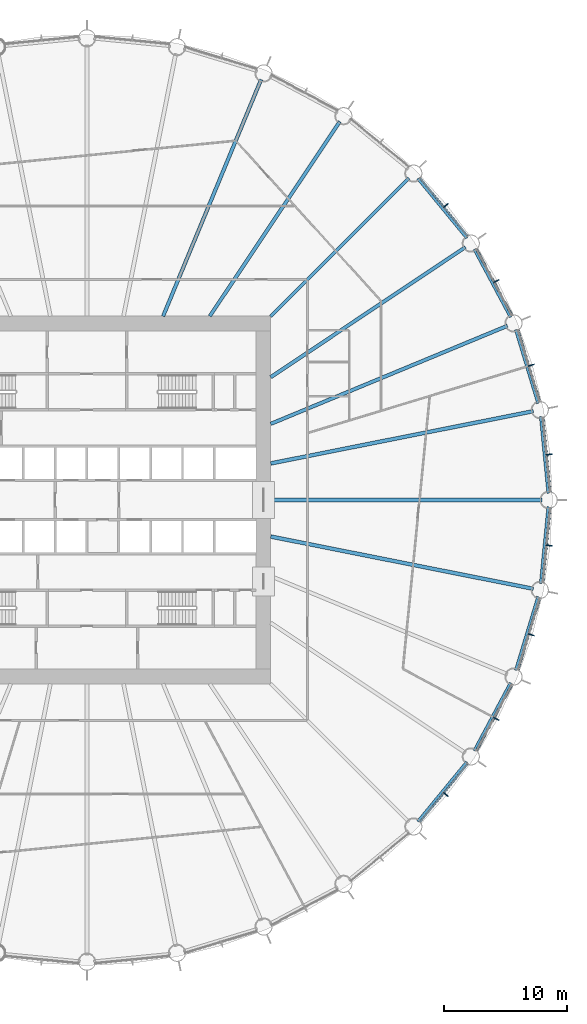
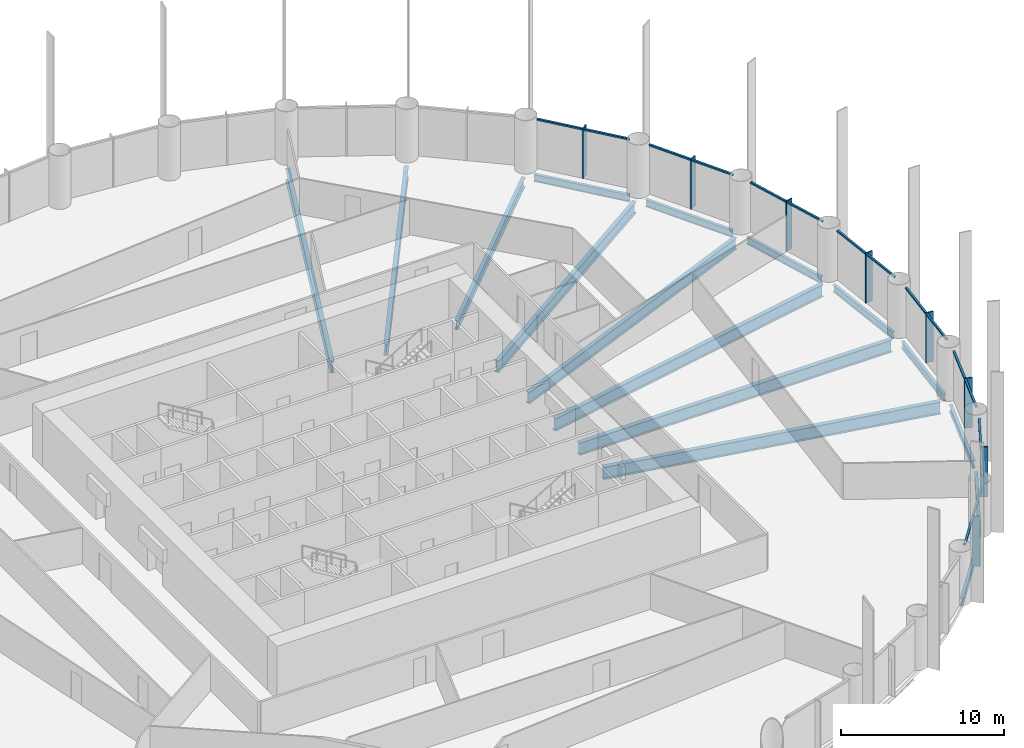
# One storey, part 5 of 14: 24 members, 16 beams, 8 elements without a shape of their own.
"""IFC4 building model written with IfcOpenShell, lengths in metres."""

from ifc_helpers import new_model, si_unit, direction, frame, origin, origin_2d, place, context, subcontext, project, spatial, rectangle, i_section, extrude, material, material_profile, profile_set, type_object, element, aggregate, save


model = new_model("IFC4")

# Units and contexts
model_context = context("Model", 3, precision=1e-05, world=origin(), true_north=direction((0.0, 1.0)))
body_context = subcontext(model_context, "Body", "Model", "MODEL_VIEW")
ifc_project = project(units=[si_unit("LENGTHUNIT", "METRE"), si_unit("AREAUNIT", "SQUARE_METRE"), si_unit("VOLUMEUNIT", "CUBIC_METRE"), si_unit("PLANEANGLEUNIT", "RADIAN"), si_unit("MASSUNIT", "GRAM", prefix="KILO")], contexts=[model_context])

# Site, building, storey
site_placement = place(None, origin())
site = spatial("IfcSite", under=ifc_project, at=site_placement, CompositionType="ELEMENT")
building_placement = place(site_placement, origin())
building = spatial("IfcBuilding", under=site, at=building_placement, Name="Corvane Civic Tower", CompositionType="ELEMENT")
storey_placement = place(building_placement, frame((0.0, 0.0, 53.0)))
storey = spatial("IfcBuildingStorey", under=building, at=storey_placement, Name="L11", CompositionType="ELEMENT", Elevation=53.0)

# Beams
ifc_material_1 = material(Name="Steel ASTM A992 Gr 50", Category="steel")
ifc_material_profile_1 = material_profile(ifc_material_1, i_section(OverallWidth=0.209228515625, OverallDepth=0.533447265625, WebThickness=0.01025390625, FlangeThickness=0.015625, at=origin_2d()), Name="W21X62")
ifc_profile_set_1 = profile_set([ifc_material_profile_1], Name="Steel ASTM A992 Gr 50")
beam_type_1 = type_object("IfcBeamType", Name="EDGE BEAM W21X62", PredefinedType="BEAM", material=ifc_profile_set_1)
beam_1_placement = place(storey_placement, frame((27.0068359375, 26.23291015625, -0.566650390625), z_axis=(0.634386787141, -0.773015785286, 0.0), x_axis=(0.773015785286, 0.634386787141, 0.0)))
element("IfcBeam", 1, at=beam_1_placement, inside=storey, type_object=beam_type_1, Name="BM-L11-E05", PredefinedType="BEAM", context=body_context, shape_type="SweptSolid", body=[
    extrude(i_section(OverallWidth=0.209228515625, OverallDepth=0.533447265625, WebThickness=0.01025390625, FlangeThickness=0.015625, at=origin_2d()), origin(), (0.0, 0.0, 1.0), 6.290771484375),
])
for number, where, z_axis, x_axis, name in (
    (2, (31.605712890625, 20.4599609375, -0.566650390625), (0.471405897311, -0.881916367906, 0.0), (0.881916367906, 0.471405897311, 0.0), "BM-L11-E06"),
    (3, (34.989990234375, 13.90087890625, -0.566650390625), (0.290273452184, -0.956943740748, 0.0), (0.956943740748, 0.290273452184, 0.0), "BM-L11-E07"),
):
    element("IfcBeam", number, at=place(storey_placement, frame(where, z_axis=z_axis, x_axis=x_axis)), inside=storey, type_object=beam_type_1, Name=name, PredefinedType="BEAM", context=body_context, shape_type="SweptSolid", body=[
        extrude(i_section(OverallWidth=0.209228515625, OverallDepth=0.533447265625, WebThickness=0.01025390625, FlangeThickness=0.015625, at=origin_2d()), origin(), (0.0, 0.0, 1.0), 6.290283203125),
    ])
for number, where, z_axis, x_axis, name in (
    (4, (37.029541015625, 6.8076171875, -0.566650390625), (0.097997284622, -0.995186682089, 0.0), (0.995186682089, 0.097997284622, 0.0), "BM-L11-E08"),
    (5, (37.64599609375, -0.54736328125, -0.566650390625), (-0.097997284622, -0.995186682089, 0.0), (0.995186682089, -0.097997284622, 0.0), "BM-L11-E09"),
):
    element("IfcBeam", number, at=place(storey_placement, frame(where, z_axis=z_axis, x_axis=x_axis)), inside=storey, type_object=beam_type_1, Name=name, PredefinedType="BEAM", context=body_context, shape_type="SweptSolid", body=[
        extrude(i_section(OverallWidth=0.209228515625, OverallDepth=0.533447265625, WebThickness=0.01025390625, FlangeThickness=0.015625, at=origin_2d()), origin(), (0.0, 0.0, 1.0), 6.29052734375),
    ])
for number, where, z_axis, x_axis, name in (
    (6, (36.81591796875, -7.88134765625, -0.566650390625), (-0.290273452184, -0.956943740748, 0.0), (0.956943740748, -0.290273452184, 0.0), "BM-L11-E10"),
    (7, (34.571044921875, -14.912353515625, -0.566650390625), (-0.471405897311, -0.881916367906, 0.0), (0.881916367906, -0.471405897311, 0.0), "BM-L11-E11"),
):
    element("IfcBeam", number, at=place(storey_placement, frame(where, z_axis=z_axis, x_axis=x_axis)), inside=storey, type_object=beam_type_1, Name=name, PredefinedType="BEAM", context=body_context, shape_type="SweptSolid", body=[
        extrude(i_section(OverallWidth=0.209228515625, OverallDepth=0.533447265625, WebThickness=0.01025390625, FlangeThickness=0.015625, at=origin_2d()), origin(), (0.0, 0.0, 1.0), 6.290283203125),
    ])
beam_2_placement = place(storey_placement, frame((30.99755859375, -21.3701171875, -0.566650390625), z_axis=(-0.634386787141, -0.773015785286, 0.0), x_axis=(0.773015785286, -0.634386787141, 0.0)))
element("IfcBeam", 8, at=beam_2_placement, inside=storey, type_object=beam_type_1, Name="BM-L11-E12", PredefinedType="BEAM", context=body_context, shape_type="SweptSolid", body=[
    extrude(i_section(OverallWidth=0.209228515625, OverallDepth=0.533447265625, WebThickness=0.01025390625, FlangeThickness=0.015625, at=origin_2d()), origin(), (0.0, 0.0, 1.0), 6.290771484375),
])
ifc_material_2 = material(Name="Steel ASTM A992 Gr 50", Category="steel")
ifc_material_profile_2 = material_profile(ifc_material_2, i_section(OverallWidth=0.256591796875, OverallDepth=0.693359375, WebThickness=0.014404296875, FlangeThickness=0.023681640625, at=origin_2d()), Name="W27X114")
ifc_profile_set_2 = profile_set([ifc_material_profile_2], Name="Steel ASTM A992 Gr 50")
beam_type_2 = type_object("IfcBeamType", Name="FLOOR GIRDER W27X114", PredefinedType="BEAM", material=ifc_profile_set_2)
beam_3_placement = place(storey_placement, frame((15.0, 15.0, -0.646728515625), z_axis=(0.707106781187, 0.707106781187, 0.0), x_axis=(-0.707106781187, 0.707106781187, 0.0)))
element("IfcBeam", 9, at=beam_3_placement, inside=storey, type_object=beam_type_2, Name="BM-L11-G05", PredefinedType="BEAM", context=body_context, shape_type="SweptSolid", body=[
    extrude(i_section(OverallWidth=0.256591796875, OverallDepth=0.693359375, WebThickness=0.014404296875, FlangeThickness=0.023681640625, at=origin_2d()), origin(), (0.0, 0.0, 1.0), 15.936767578125),
])
ifc_material_3 = material(Name="Steel ASTM A992 Gr 50", Category="steel")
ifc_material_profile_3 = material_profile(ifc_material_3, i_section(OverallWidth=0.2919921875, OverallDepth=0.8583984375, WebThickness=0.01708984375, FlangeThickness=0.031005859375, at=origin_2d()), Name="W33X169")
ifc_profile_set_3 = profile_set([ifc_material_profile_3], Name="Steel ASTM A992 Gr 50")
beam_type_3 = type_object("IfcBeamType", Name="FLOOR GIRDER W33X169", PredefinedType="BEAM", material=ifc_profile_set_3)
beam_4_placement = place(storey_placement, frame((6.213134765625, 15.0, -0.729248046875), z_axis=(0.382692360381, 0.923875834355, 0.0), x_axis=(-0.923875834355, 0.382692360381, 0.0)))
element("IfcBeam", 10, at=beam_4_placement, inside=storey, type_object=beam_type_3, Name="BM-L11-G03", PredefinedType="BEAM", context=body_context, shape_type="SweptSolid", body=[
    extrude(i_section(OverallWidth=0.2919921875, OverallDepth=0.8583984375, WebThickness=0.01708984375, FlangeThickness=0.031005859375, at=origin_2d()), origin(), (0.0, 0.0, 1.0), 20.9140625),
])
for number, where, z_axis, x_axis, name in (
    (11, (10.022705078125, 15.0, -0.729248046875), (0.555566681385, 0.831471985418, 0.0), (-0.831471985418, 0.555566681385, 0.0), "BM-L11-G04"),
    (12, (15.0, 10.022705078125, -0.729248046875), (0.831471985418, 0.555566681385, 0.0), (-0.555566681385, 0.831471985418, 0.0), "BM-L11-G06"),
):
    element("IfcBeam", number, at=place(storey_placement, frame(where, z_axis=z_axis, x_axis=x_axis)), inside=storey, type_object=beam_type_3, Name=name, PredefinedType="BEAM", context=body_context, shape_type="SweptSolid", body=[
        extrude(i_section(OverallWidth=0.2919921875, OverallDepth=0.8583984375, WebThickness=0.01708984375, FlangeThickness=0.031005859375, at=origin_2d()), origin(), (0.0, 0.0, 1.0), 19.109619140625),
    ])
beam_5_placement = place(storey_placement, frame((15.0, 6.213134765625, -0.729248046875), z_axis=(0.923875834355, 0.382692360381, 0.0), x_axis=(-0.382692360381, 0.923875834355, 0.0)))
element("IfcBeam", 13, at=beam_5_placement, inside=storey, type_object=beam_type_3, Name="BM-L11-G07", PredefinedType="BEAM", context=body_context, shape_type="SweptSolid", body=[
    extrude(i_section(OverallWidth=0.2919921875, OverallDepth=0.8583984375, WebThickness=0.01708984375, FlangeThickness=0.031005859375, at=origin_2d()), origin(), (0.0, 0.0, 1.0), 20.9140625),
])
ifc_material_4 = material(Name="Steel ASTM A992 Gr 50", Category="steel")
ifc_material_profile_4 = material_profile(ifc_material_4, i_section(OverallWidth=0.307373046875, OverallDepth=0.927001953125, WebThickness=0.01953125, FlangeThickness=0.031982421875, at=origin_2d()), Name="W36X194")
ifc_profile_set_4 = profile_set([ifc_material_profile_4], Name="Steel ASTM A992 Gr 50")
beam_type_4 = type_object("IfcBeamType", Name="FLOOR GIRDER W36X194", PredefinedType="BEAM", material=ifc_profile_set_4)
beam_6_placement = place(storey_placement, frame((15.0, 2.983642578125, -0.763671875), z_axis=(0.980785499679, 0.195089219638, 0.0), x_axis=(-0.195089219638, 0.980785499679, 0.0)))
element("IfcBeam", 14, at=beam_6_placement, inside=storey, type_object=beam_type_4, Name="BM-L11-G08", PredefinedType="BEAM", context=body_context, shape_type="SweptSolid", body=[
    extrude(i_section(OverallWidth=0.307373046875, OverallDepth=0.927001953125, WebThickness=0.01953125, FlangeThickness=0.031982421875, at=origin_2d()), origin(), (0.0, 0.0, 1.0), 21.856201171875),
])
beam_7_placement = place(storey_placement, frame((15.0, 0.0, -0.763671875), z_axis=(1.0, 0.0, 0.0), x_axis=(0.0, 1.0, 0.0)))
element("IfcBeam", 15, at=beam_7_placement, inside=storey, type_object=beam_type_4, Name="BM-L11-G09", PredefinedType="BEAM", context=body_context, shape_type="SweptSolid", body=[
    extrude(i_section(OverallWidth=0.307373046875, OverallDepth=0.927001953125, WebThickness=0.01953125, FlangeThickness=0.031982421875, at=origin_2d()), origin(), (0.0, 0.0, 1.0), 22.14990234375),
])
beam_8_placement = place(storey_placement, frame((15.0, -2.983642578125, -0.763671875), z_axis=(0.980785499679, -0.195089219638, 0.0), x_axis=(0.195089219638, 0.980785499679, 0.0)))
element("IfcBeam", 16, at=beam_8_placement, inside=storey, type_object=beam_type_4, Name="BM-L11-G10", PredefinedType="BEAM", context=body_context, shape_type="SweptSolid", body=[
    extrude(i_section(OverallWidth=0.307373046875, OverallDepth=0.927001953125, WebThickness=0.01953125, FlangeThickness=0.031982421875, at=origin_2d()), origin(), (0.0, 0.0, 1.0), 21.856201171875),
])

# Curtain wall, members
ifc_material_5 = material(Name="Anodised aluminium bronze", Category="aluminium")
curtain_wall_type = type_object("IfcCurtainWallType", Name="TOWER CW-T1 STICK CURTAIN WALL", PredefinedType="NOTDEFINED", material=ifc_material_5)
curtain_wall_1_placement = place(storey_placement, origin())
curtain_wall_1 = element("IfcCurtainWall", 17, at=curtain_wall_1_placement, inside=storey, type_object=curtain_wall_type, Name="Curtain wall CW-T1 L11 bay 05", PredefinedType="NOTDEFINED")
ifc_material_6 = material(Name="Anodised aluminium bronze", Category="aluminium")
ifc_material_profile_5 = material_profile(ifc_material_6, rectangle(XDim=0.139892578125, YDim=0.1201171875, at=origin_2d()), Name="TOWER CW-T1 TRANSOM 140x120")
ifc_profile_set_5 = profile_set([ifc_material_profile_5], Name="Anodised aluminium bronze")
member_type_1 = type_object("IfcMemberType", Name="TOWER CW-T1 TRANSOM 140x120", PredefinedType="USERDEFINED", material=ifc_profile_set_5)
member_1_placement = place(storey_placement, frame((27.20654296875, 26.271728515625, 3.68994140625), z_axis=(0.634403652865, -0.773001943873, 0.0), x_axis=(0.773001943873, 0.634403652865, 0.0)))
member_1 = element("IfcMember", 18, at=member_1_placement, type_object=member_type_1, Name="Transom CW-T1 L11 05.1", ObjectType="TRANSOM", PredefinedType="USERDEFINED", context=body_context, shape_type="SweptSolid", body=[
    extrude(rectangle(XDim=0.139892578125, YDim=0.1201171875, at=origin_2d()), origin(), (0.0, 0.0, 1.0), 3.008544921875),
])
member_2_placement = place(storey_placement, frame((29.166015625, 23.88427734375, 3.68994140625), z_axis=(0.634355161466, -0.773041738279, 0.0), x_axis=(0.773041738279, 0.634355161466, 0.0)))
member_2 = element("IfcMember", 19, at=member_2_placement, type_object=member_type_1, Name="Transom CW-T1 L11 05.2", ObjectType="TRANSOM", PredefinedType="USERDEFINED", context=body_context, shape_type="SweptSolid", body=[
    extrude(rectangle(XDim=0.139892578125, YDim=0.1201171875, at=origin_2d()), origin(), (0.0, 0.0, 1.0), 3.008544921875),
])

curtain_wall_2_placement = place(storey_placement, origin())
curtain_wall_2 = element("IfcCurtainWall", 20, at=curtain_wall_2_placement, inside=storey, type_object=curtain_wall_type, Name="Curtain wall CW-T1 L11 bay 06", PredefinedType="NOTDEFINED")
member_3_placement = place(storey_placement, frame((31.809326171875, 20.459228515625, 3.68994140625), z_axis=(0.471392506424, -0.881923525532, 0.0), x_axis=(0.881923525532, 0.471392506424, 0.0)))
member_3 = element("IfcMember", 21, at=member_3_placement, type_object=member_type_1, Name="Transom CW-T1 L11 06.1", ObjectType="TRANSOM", PredefinedType="USERDEFINED", context=body_context, shape_type="SweptSolid", body=[
    extrude(rectangle(XDim=0.139892578125, YDim=0.1201171875, at=origin_2d()), origin(), (0.0, 0.0, 1.0), 3.008544921875),
])
member_4_placement = place(storey_placement, frame((33.26513671875, 17.7353515625, 3.68994140625), z_axis=(0.471392506424, -0.881923525532, 0.0), x_axis=(0.881923525532, 0.471392506424, 0.0)))
member_4 = element("IfcMember", 22, at=member_4_placement, type_object=member_type_1, Name="Transom CW-T1 L11 06.2", ObjectType="TRANSOM", PredefinedType="USERDEFINED", context=body_context, shape_type="SweptSolid", body=[
    extrude(rectangle(XDim=0.139892578125, YDim=0.1201171875, at=origin_2d()), origin(), (0.0, 0.0, 1.0), 3.008544921875),
])

curtain_wall_3_placement = place(storey_placement, origin())
curtain_wall_3 = element("IfcCurtainWall", 23, at=curtain_wall_3_placement, inside=storey, type_object=curtain_wall_type, Name="Curtain wall CW-T1 L11 bay 07", PredefinedType="NOTDEFINED")
member_5_placement = place(storey_placement, frame((35.189453125, 13.8603515625, 3.68994140625), z_axis=(0.290279914268, -0.956941780555, 0.0), x_axis=(0.956941780555, 0.290279914268, 0.0)))
member_5 = element("IfcMember", 24, at=member_5_placement, type_object=member_type_1, Name="Transom CW-T1 L11 07.1", ObjectType="TRANSOM", PredefinedType="USERDEFINED", context=body_context, shape_type="SweptSolid", body=[
    extrude(rectangle(XDim=0.139892578125, YDim=0.1201171875, at=origin_2d()), origin(), (0.0, 0.0, 1.0), 3.008544921875),
])
member_6_placement = place(storey_placement, frame((36.0859375, 10.90478515625, 3.68994140625), z_axis=(0.290279914268, -0.956941780555, 0.0), x_axis=(0.956941780555, 0.290279914268, 0.0)))
member_6 = element("IfcMember", 25, at=member_6_placement, type_object=member_type_1, Name="Transom CW-T1 L11 07.2", ObjectType="TRANSOM", PredefinedType="USERDEFINED", context=body_context, shape_type="SweptSolid", body=[
    extrude(rectangle(XDim=0.139892578125, YDim=0.1201171875, at=origin_2d()), origin(), (0.0, 0.0, 1.0), 3.008544921875),
])

curtain_wall_4_placement = place(storey_placement, origin())
curtain_wall_4 = element("IfcCurtainWall", 26, at=curtain_wall_4_placement, inside=storey, type_object=curtain_wall_type, Name="Curtain wall CW-T1 L11 bay 08", PredefinedType="NOTDEFINED")
member_7_placement = place(storey_placement, frame((37.21728515625, 6.72900390625, 3.68994140625), z_axis=(0.097944923917, -0.995191836722, 0.0), x_axis=(0.995191836722, 0.097944923917, 0.0)))
member_7 = element("IfcMember", 27, at=member_7_placement, type_object=member_type_1, Name="Transom CW-T1 L11 08.1", ObjectType="TRANSOM", PredefinedType="USERDEFINED", context=body_context, shape_type="SweptSolid", body=[
    extrude(rectangle(XDim=0.139892578125, YDim=0.1201171875, at=origin_2d()), origin(), (0.0, 0.0, 1.0), 3.008544921875),
])
member_8_placement = place(storey_placement, frame((37.52001953125, 3.6552734375, 3.68994140625), z_axis=(0.097944923917, -0.995191836722, 0.0), x_axis=(0.995191836722, 0.097944923917, 0.0)))
member_8 = element("IfcMember", 28, at=member_8_placement, type_object=member_type_1, Name="Transom CW-T1 L11 08.2", ObjectType="TRANSOM", PredefinedType="USERDEFINED", context=body_context, shape_type="SweptSolid", body=[
    extrude(rectangle(XDim=0.139892578125, YDim=0.1201171875, at=origin_2d()), origin(), (0.0, 0.0, 1.0), 3.008544921875),
])

curtain_wall_5_placement = place(storey_placement, origin())
curtain_wall_5 = element("IfcCurtainWall", 29, at=curtain_wall_5_placement, inside=storey, type_object=curtain_wall_type, Name="Curtain wall CW-T1 L11 bay 09", PredefinedType="NOTDEFINED")
member_9_placement = place(storey_placement, frame((37.814697265625, -0.6611328125, 3.68994140625), z_axis=(-0.097944923917, -0.995191836722, 0.0), x_axis=(0.995191836722, -0.097944923917, 0.0)))
member_9 = element("IfcMember", 30, at=member_9_placement, type_object=member_type_1, Name="Transom CW-T1 L11 09.1", ObjectType="TRANSOM", PredefinedType="USERDEFINED", context=body_context, shape_type="SweptSolid", body=[
    extrude(rectangle(XDim=0.139892578125, YDim=0.1201171875, at=origin_2d()), origin(), (0.0, 0.0, 1.0), 3.008544921875),
])
member_10_placement = place(storey_placement, frame((37.511962890625, -3.73486328125, 3.68994140625), z_axis=(-0.097944923917, -0.995191836722, 0.0), x_axis=(0.995191836722, -0.097944923917, 0.0)))
member_10 = element("IfcMember", 31, at=member_10_placement, type_object=member_type_1, Name="Transom CW-T1 L11 09.2", ObjectType="TRANSOM", PredefinedType="USERDEFINED", context=body_context, shape_type="SweptSolid", body=[
    extrude(rectangle(XDim=0.139892578125, YDim=0.1201171875, at=origin_2d()), origin(), (0.0, 0.0, 1.0), 3.008544921875),
])

curtain_wall_6_placement = place(storey_placement, origin())
curtain_wall_6 = element("IfcCurtainWall", 32, at=curtain_wall_6_placement, inside=storey, type_object=curtain_wall_type, Name="Curtain wall CW-T1 L11 bay 10", PredefinedType="NOTDEFINED")
member_11_placement = place(storey_placement, frame((36.959228515625, -8.02587890625, 3.68994140625), z_axis=(-0.290279914268, -0.956941780555, 0.0), x_axis=(0.956941780555, -0.290279914268, 0.0)))
member_11 = element("IfcMember", 33, at=member_11_placement, type_object=member_type_1, Name="Transom CW-T1 L11 10.1", ObjectType="TRANSOM", PredefinedType="USERDEFINED", context=body_context, shape_type="SweptSolid", body=[
    extrude(rectangle(XDim=0.139892578125, YDim=0.1201171875, at=origin_2d()), origin(), (0.0, 0.0, 1.0), 3.008544921875),
])
member_12_placement = place(storey_placement, frame((36.062744140625, -10.9814453125, 3.68994140625), z_axis=(-0.290279914268, -0.956941780555, 0.0), x_axis=(0.956941780555, -0.290279914268, 0.0)))
member_12 = element("IfcMember", 34, at=member_12_placement, type_object=member_type_1, Name="Transom CW-T1 L11 10.2", ObjectType="TRANSOM", PredefinedType="USERDEFINED", context=body_context, shape_type="SweptSolid", body=[
    extrude(rectangle(XDim=0.139892578125, YDim=0.1201171875, at=origin_2d()), origin(), (0.0, 0.0, 1.0), 3.008544921875),
])

curtain_wall_7_placement = place(storey_placement, origin())
curtain_wall_7 = element("IfcCurtainWall", 35, at=curtain_wall_7_placement, inside=storey, type_object=curtain_wall_type, Name="Curtain wall CW-T1 L11 bay 11", PredefinedType="NOTDEFINED")
member_13_placement = place(storey_placement, frame((34.683349609375, -15.08203125, 3.68994140625), z_axis=(-0.471392506424, -0.881923525532, 0.0), x_axis=(0.881923525532, -0.471392506424, 0.0)))
member_13 = element("IfcMember", 36, at=member_13_placement, type_object=member_type_1, Name="Transom CW-T1 L11 11.1", ObjectType="TRANSOM", PredefinedType="USERDEFINED", context=body_context, shape_type="SweptSolid", body=[
    extrude(rectangle(XDim=0.139892578125, YDim=0.1201171875, at=origin_2d()), origin(), (0.0, 0.0, 1.0), 3.008544921875),
])
member_14_placement = place(storey_placement, frame((33.2275390625, -17.805908203125, 3.68994140625), z_axis=(-0.471392506424, -0.881923525532, 0.0), x_axis=(0.881923525532, -0.471392506424, 0.0)))
member_14 = element("IfcMember", 37, at=member_14_placement, type_object=member_type_1, Name="Transom CW-T1 L11 11.2", ObjectType="TRANSOM", PredefinedType="USERDEFINED", context=body_context, shape_type="SweptSolid", body=[
    extrude(rectangle(XDim=0.139892578125, YDim=0.1201171875, at=origin_2d()), origin(), (0.0, 0.0, 1.0), 3.008544921875),
])

curtain_wall_8_placement = place(storey_placement, origin())
curtain_wall_8 = element("IfcCurtainWall", 38, at=curtain_wall_8_placement, inside=storey, type_object=curtain_wall_type, Name="Curtain wall CW-T1 L11 bay 12", PredefinedType="NOTDEFINED")
member_15_placement = place(storey_placement, frame((31.074462890625, -21.55859375, 3.68994140625), z_axis=(-0.634355161466, -0.773041738279, 0.0), x_axis=(0.773041738279, -0.634355161466, 0.0)))
member_15 = element("IfcMember", 39, at=member_15_placement, type_object=member_type_1, Name="Transom CW-T1 L11 12.1", ObjectType="TRANSOM", PredefinedType="USERDEFINED", context=body_context, shape_type="SweptSolid", body=[
    extrude(rectangle(XDim=0.139892578125, YDim=0.1201171875, at=origin_2d()), origin(), (0.0, 0.0, 1.0), 3.008544921875),
])
member_16_placement = place(storey_placement, frame((29.115234375, -23.946044921875, 3.68994140625), z_axis=(-0.634403652865, -0.773001943873, 0.0), x_axis=(0.773001943873, -0.634403652865, 0.0)))
member_16 = element("IfcMember", 40, at=member_16_placement, type_object=member_type_1, Name="Transom CW-T1 L11 12.2", ObjectType="TRANSOM", PredefinedType="USERDEFINED", context=body_context, shape_type="SweptSolid", body=[
    extrude(rectangle(XDim=0.139892578125, YDim=0.1201171875, at=origin_2d()), origin(), (0.0, 0.0, 1.0), 3.008544921875),
])

# Member
ifc_material_7 = material(Name="Anodised aluminium bronze", Category="aluminium")
ifc_material_profile_6 = material_profile(ifc_material_7, rectangle(XDim=0.080078125, YDim=0.5, at=origin_2d()), Name="TOWER FIN MULLION 80x500 BRONZE")
ifc_profile_set_6 = profile_set([ifc_material_profile_6], Name="Anodised aluminium bronze")
member_type_2 = type_object("IfcMemberType", Name="TOWER FIN MULLION 80x500 BRONZE", PredefinedType="MULLION", material=ifc_profile_set_6)
member_17_placement = place(storey_placement, frame((29.295166015625, 24.0419921875, 0.0), z_axis=(0.0, 0.0, 1.0), x_axis=(0.634397218569, -0.773007224463, 0.0)))
member_17 = element("IfcMember", 41, at=member_17_placement, type_object=member_type_2, Name="Fin mullion 05 L11", PredefinedType="MULLION", context=body_context, shape_type="SweptSolid", body=[
    extrude(rectangle(XDim=0.080078125, YDim=0.5, at=origin_2d()), origin(), (0.0, 0.0, 1.0), 3.75),
])

aggregate(curtain_wall_1, [member_17, member_1, member_2])

member_18_placement = place(storey_placement, frame((33.422607421875, 17.86474609375, 0.0), z_axis=(0.0, 0.0, 1.0), x_axis=(0.471403725359, -0.881917528864, 0.0)))
member_18 = element("IfcMember", 42, at=member_18_placement, type_object=member_type_2, Name="Fin mullion 06 L11", PredefinedType="MULLION", context=body_context, shape_type="SweptSolid", body=[
    extrude(rectangle(XDim=0.080078125, YDim=0.5, at=origin_2d()), origin(), (0.0, 0.0, 1.0), 3.75),
])

aggregate(curtain_wall_2, [member_18, member_3, member_4])

member_19_placement = place(storey_placement, frame((36.265625, 11.001220703125, 0.0), z_axis=(0.0, 0.0, 1.0), x_axis=(0.290278397654, -0.956942240606, 0.0)))
member_19 = element("IfcMember", 43, at=member_19_placement, type_object=member_type_2, Name="Fin mullion 07 L11", PredefinedType="MULLION", context=body_context, shape_type="SweptSolid", body=[
    extrude(rectangle(XDim=0.080078125, YDim=0.5, at=origin_2d()), origin(), (0.0, 0.0, 1.0), 3.75),
])

aggregate(curtain_wall_3, [member_19, member_5, member_6])

member_20_placement = place(storey_placement, frame((37.715087890625, 3.714599609375, 0.0), z_axis=(0.0, 0.0, 1.0), x_axis=(0.098006239521, -0.995185800248, 0.0)))
member_20 = element("IfcMember", 44, at=member_20_placement, type_object=member_type_2, Name="Fin mullion 08 L11", PredefinedType="MULLION", context=body_context, shape_type="SweptSolid", body=[
    extrude(rectangle(XDim=0.080078125, YDim=0.5, at=origin_2d()), origin(), (0.0, 0.0, 1.0), 3.75),
])

aggregate(curtain_wall_4, [member_20, member_7, member_8])

member_21_placement = place(storey_placement, frame((37.715087890625, -3.714599609375, 0.0), z_axis=(0.0, 0.0, 1.0), x_axis=(-0.098006239521, -0.995185800248, 0.0)))
member_21 = element("IfcMember", 45, at=member_21_placement, type_object=member_type_2, Name="Fin mullion 09 L11", PredefinedType="MULLION", context=body_context, shape_type="SweptSolid", body=[
    extrude(rectangle(XDim=0.080078125, YDim=0.5, at=origin_2d()), origin(), (0.0, 0.0, 1.0), 3.75),
])

aggregate(curtain_wall_5, [member_21, member_9, member_10])

member_22_placement = place(storey_placement, frame((36.265625, -11.001220703125, 0.0), z_axis=(0.0, 0.0, 1.0), x_axis=(-0.290278397654, -0.956942240606, 0.0)))
member_22 = element("IfcMember", 46, at=member_22_placement, type_object=member_type_2, Name="Fin mullion 10 L11", PredefinedType="MULLION", context=body_context, shape_type="SweptSolid", body=[
    extrude(rectangle(XDim=0.080078125, YDim=0.5, at=origin_2d()), origin(), (0.0, 0.0, 1.0), 3.75),
])

aggregate(curtain_wall_6, [member_22, member_11, member_12])

member_23_placement = place(storey_placement, frame((33.422607421875, -17.86474609375, 0.0), z_axis=(0.0, 0.0, 1.0), x_axis=(-0.471403725359, -0.881917528864, 0.0)))
member_23 = element("IfcMember", 47, at=member_23_placement, type_object=member_type_2, Name="Fin mullion 11 L11", PredefinedType="MULLION", context=body_context, shape_type="SweptSolid", body=[
    extrude(rectangle(XDim=0.080078125, YDim=0.5, at=origin_2d()), origin(), (0.0, 0.0, 1.0), 3.75),
])

aggregate(curtain_wall_7, [member_23, member_13, member_14])

member_24_placement = place(storey_placement, frame((29.295166015625, -24.0419921875, 0.0), z_axis=(0.0, 0.0, 1.0), x_axis=(-0.634397218569, -0.773007224463, 0.0)))
member_24 = element("IfcMember", 48, at=member_24_placement, type_object=member_type_2, Name="Fin mullion 12 L11", PredefinedType="MULLION", context=body_context, shape_type="SweptSolid", body=[
    extrude(rectangle(XDim=0.080078125, YDim=0.5, at=origin_2d()), origin(), (0.0, 0.0, 1.0), 3.75),
])

aggregate(curtain_wall_8, [member_24, member_15, member_16])

save(model, "model.ifc")
